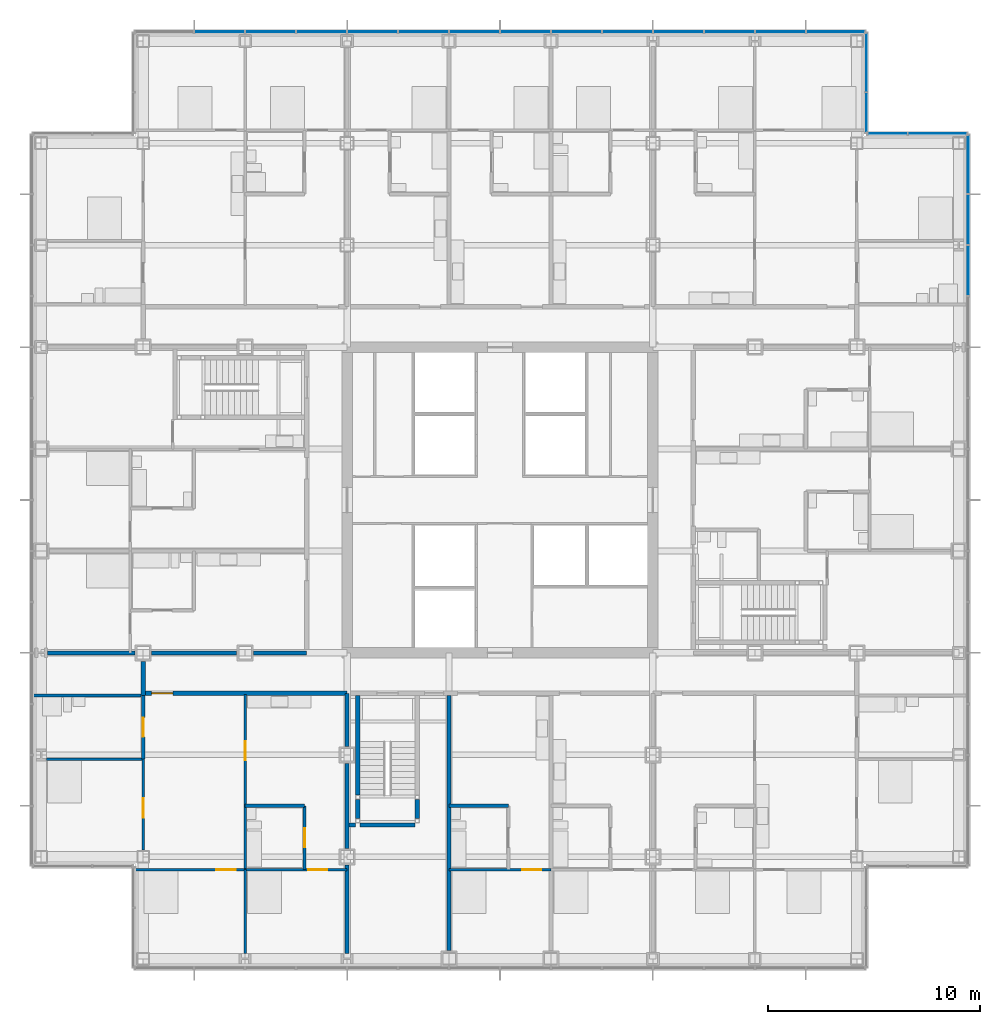
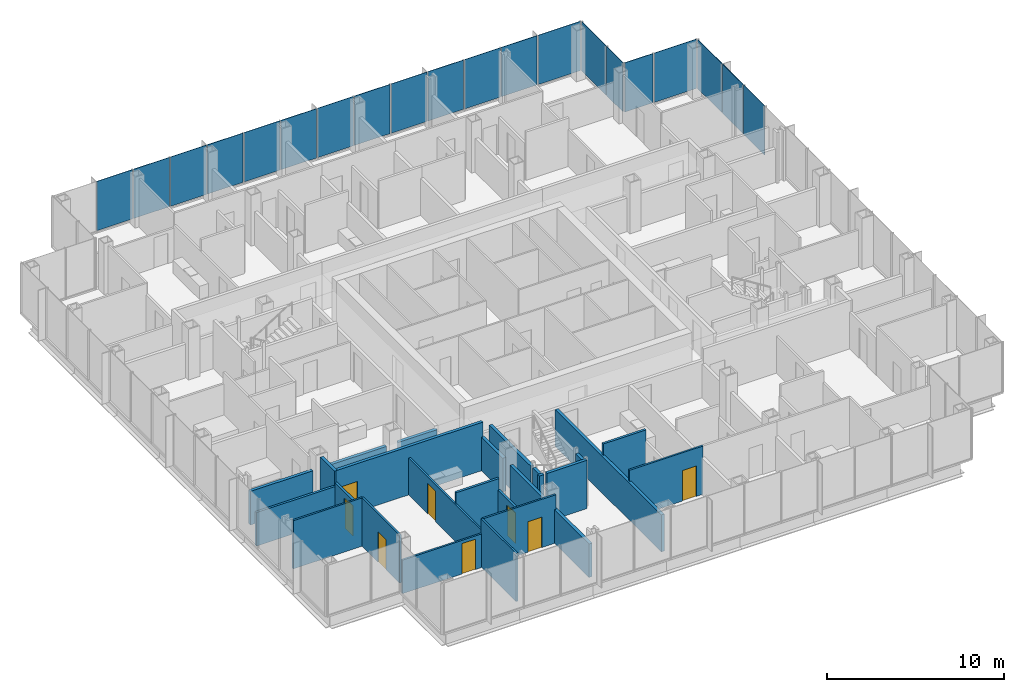
# One storey, part 13 of 21: 26 walls, 20 plates, 8 doors, 8 openings, 4 elements without a shape of their own.
"""IFC4 building model written with IfcOpenShell, lengths in metres."""

import ifcopenshell
import ifcopenshell.guid

model = None  # the IFC model being written
_history = None  # IfcOwnerHistory: only IFC2X3 demands one
_inside = {}  # id of a spatial element -> (the spatial element, [elements in it])
_under = {}  # id of a project, library or spatial element -> (it, [spatial elements below it])
_declared = {}  # id of a project -> (the project, [libraries it declares])
_typed = {}  # id of a type object -> (the type object, [elements of that type])
_made_of = {}  # id of a material, layer set ... -> (it, [elements and type objects made of it])


def new_model(schema):
    """Start an empty IFC model of exactly this schema.

    Asked for "IFC4X3", IfcOpenShell would pick the latest addendum, in which some entities
    have other attributes; the version numbers below select the first issue.
    IFC2X3 requires an IfcOwnerHistory on every rooted entity: one is made here for all.
    """
    global model, _history
    if schema == "IFC4X3":
        model = ifcopenshell.file(schema_version=(4, 3, 0, 0))
    else:
        model = ifcopenshell.file(schema=schema)
    _inside.clear()
    _under.clear()
    _declared.clear()
    _typed.clear()
    _made_of.clear()
    _history = None
    if model.schema == "IFC2X3":
        org = make("IfcOrganization", Name="unknown")
        user = make(
            "IfcPersonAndOrganization",
            ThePerson=make("IfcPerson", FamilyName="unknown"),
            TheOrganization=org,
        )
        app = make(
            "IfcApplication",
            ApplicationDeveloper=org,
            Version="unknown",
            ApplicationFullName="unknown",
            ApplicationIdentifier="unknown",
        )
        _history = make(
            "IfcOwnerHistory",
            OwningUser=user,
            OwningApplication=app,
            ChangeAction="ADDED",
            CreationDate=0,
        )
    return model


def make(cls, **values):
    """One entity of the class cls with the attributes given. An attribute that is None is left unset."""
    return model.create_entity(
        cls, **{name: value for name, value in values.items() if value is not None}
    )


def rooted(cls, **values):
    """An entity with a GlobalId (a new one), such as an element, a storey or a relation."""
    return make(cls, GlobalId=ifcopenshell.guid.new(), OwnerHistory=_history, **values)


def si_unit(unit_type, name, prefix=None):
    """IfcSIUnit, for example si_unit("LENGTHUNIT", "METRE", prefix="MILLI")."""
    return make("IfcSIUnit", UnitType=unit_type, Prefix=prefix, Name=name)


def assignment(units):
    """IfcUnitAssignment: the units of a project."""
    return None if units is None else make("IfcUnitAssignment", Units=units)


def point(xyz):
    """IfcCartesianPoint."""
    return None if xyz is None else make("IfcCartesianPoint", Coordinates=xyz)


def direction(xyz):
    """IfcDirection."""
    return None if xyz is None else make("IfcDirection", DirectionRatios=xyz)


def frame(location, z_axis=None, x_axis=None):
    """IfcAxis2Placement3D, a coordinate frame: its origin and axes. An axis left out is left unset."""
    return make(
        "IfcAxis2Placement3D",
        Location=point(location),
        Axis=direction(z_axis),
        RefDirection=direction(x_axis),
    )


def frame_2d(location, x_axis=None):
    """IfcAxis2Placement2D, a coordinate frame in the plane: its origin and x axis."""
    return make(
        "IfcAxis2Placement2D", Location=point(location), RefDirection=direction(x_axis)
    )


def origin():
    """The frame at (0, 0, 0) with its axes left unset."""
    return frame((0.0, 0.0, 0.0))


def origin_2d():
    """The frame at (0, 0) in the plane with its x axis left unset."""
    return frame_2d((0.0, 0.0))


def place(relative_to, where):
    """IfcLocalPlacement: puts the frame where relative to a parent placement (None: the world)."""
    return make(
        "IfcLocalPlacement", PlacementRelTo=relative_to, RelativePlacement=where
    )


def context(
    kind, dimensions, precision=None, world=None, true_north=None, identifier=None
):
    """IfcGeometricRepresentationContext, for example the 3D "Model" context."""
    return make(
        "IfcGeometricRepresentationContext",
        ContextIdentifier=identifier,
        ContextType=kind,
        CoordinateSpaceDimension=dimensions,
        Precision=precision,
        WorldCoordinateSystem=world,
        TrueNorth=true_north,
    )


def subcontext(parent, identifier, kind, view, scale=None):
    """IfcGeometricRepresentationSubContext, for example "Body" below "Model"."""
    return make(
        "IfcGeometricRepresentationSubContext",
        ContextIdentifier=identifier,
        ContextType=kind,
        ParentContext=parent,
        TargetScale=scale,
        TargetView=view,
    )


def project(units=None, contexts=None):
    """IfcProject with its units and contexts."""
    return rooted(
        "IfcProject",
        Name="project",
        RepresentationContexts=contexts,
        UnitsInContext=assignment(units),
    )


def spatial(cls, under=None, at=None, **own):
    """A site, building, storey or space (cls), placed at a placement, below another one or the project."""
    s = rooted(cls, ObjectPlacement=at, **own)
    if under is not None:
        _under.setdefault(under.id(), (under, []))[1].append(s)
    return s


def profile(cls, at=None, kind="AREA", **sizes):
    """A parametric profile (cls). Its sizes go by their IFC names, for example OverallWidth=200.0."""
    return make(cls, ProfileType=kind, Position=at, **sizes)


def rectangle(**sizes):
    """IfcRectangleProfileDef."""
    return profile("IfcRectangleProfileDef", **sizes)


def extrude(swept, where, along, depth):
    """IfcExtrudedAreaSolid: the profile swept, set in the frame where, extruded along a direction by depth."""
    return make(
        "IfcExtrudedAreaSolid",
        SweptArea=swept,
        Position=where,
        ExtrudedDirection=direction(along),
        Depth=depth,
    )


def shape(context_of_items, identifier, shape_type, items):
    """IfcShapeRepresentation: the items that make up one representation, for example the "Body"."""
    return make(
        "IfcShapeRepresentation",
        ContextOfItems=context_of_items,
        RepresentationIdentifier=identifier,
        RepresentationType=shape_type,
        Items=items,
    )


def material(Name=None, Category=None):
    """IfcMaterial."""
    return make("IfcMaterial", Name=Name, Category=Category)


def layer(
    of_material, thickness, ventilated=None, Name=None, Category=None, Priority=None
):
    """IfcMaterialLayer: one layer of a wall or slab, of a material (None: an air gap)."""
    return make(
        "IfcMaterialLayer",
        Material=of_material,
        LayerThickness=thickness,
        IsVentilated=ventilated,
        Name=Name,
        Category=Category,
        Priority=Priority,
    )


def layer_set(layers, Name=None):
    """IfcMaterialLayerSet."""
    return make("IfcMaterialLayerSet", MaterialLayers=layers, LayerSetName=Name)


def made_of(thing, what):
    """Note that an element or type object is made of a material, layer set ...; save() writes the relation."""
    if what is not None:
        _made_of.setdefault(what.id(), (what, []))[1].append(thing)
    return thing


def type_object(cls, material=None, **own):
    """A type object (cls), such as IfcWallType, which elements share."""
    return made_of(rooted(cls, **own), material)


def element(
    cls,
    number,
    at=None,
    inside=None,
    cuts=None,
    type_object=None,
    material=None,
    context=None,
    identifier="Body",
    shape_type=None,
    held_by="IfcProductDefinitionShape",
    body=None,
    shapes=None,
    **own,
):
    """One element of the class cls, such as IfcWall. Its Tag is "e" and its number.

    at: its placement. inside: the storey or other place that contains it. cuts: it is an
    opening in that element (IfcRelVoidsElement). A single representation is given by context,
    identifier, shape_type and body (its items); several are given by shapes. held_by: the class
    of the entity that holds the representations. save() writes the other relations.
    """
    e = rooted(cls, Tag="e%d" % number, ObjectPlacement=at, **own)
    if body is not None:
        shapes = [shape(context, identifier, shape_type, body)]
    if shapes is not None:
        e.Representation = make(held_by, Representations=shapes)
    if inside is not None:
        _inside.setdefault(inside.id(), (inside, []))[1].append(e)
    if cuts is not None:
        rooted(
            "IfcRelVoidsElement", RelatingBuildingElement=cuts, RelatedOpeningElement=e
        )
    if type_object is not None:
        _typed.setdefault(type_object.id(), (type_object, []))[1].append(e)
    return made_of(e, material)


def fill(opening, filler):
    """IfcRelFillsElement: the door or window that sits in an opening."""
    return rooted(
        "IfcRelFillsElement",
        RelatingOpeningElement=opening,
        RelatedBuildingElement=filler,
    )


def aggregate(whole, parts):
    """IfcRelAggregates: a whole, such as a stair, and the parts it consists of."""
    return rooted("IfcRelAggregates", RelatingObject=whole, RelatedObjects=parts)


def save(model, path):
    """Write the relations noted so far, then the file.

    IfcRelAggregates (storeys below a building ...), IfcRelContainedInSpatialStructure (elements
    in a storey), IfcRelDefinesByType, IfcRelAssociatesMaterial and IfcRelDeclares: one each for
    every whole, place, type object, material and project.
    """
    for whole, parts in _under.values():
        aggregate(whole, parts)
    for where, things in _inside.values():
        rooted(
            "IfcRelContainedInSpatialStructure",
            RelatedElements=things,
            RelatingStructure=where,
        )
    for kind, things in _typed.values():
        rooted("IfcRelDefinesByType", RelatedObjects=things, RelatingType=kind)
    for what, things in _made_of.values():
        rooted("IfcRelAssociatesMaterial", RelatedObjects=things, RelatingMaterial=what)
    for by, libraries in _declared.values():
        rooted("IfcRelDeclares", RelatingContext=by, RelatedDefinitions=libraries)
    model.write(path)


model = new_model("IFC4")

# Units and contexts
model_context = context("Model", 3, precision=1e-05, world=origin(), true_north=direction((0.0, 1.0)))
body_context = subcontext(model_context, "Body", "Model", "MODEL_VIEW")
ifc_project = project(units=[si_unit("LENGTHUNIT", "METRE"), si_unit("AREAUNIT", "SQUARE_METRE"), si_unit("VOLUMEUNIT", "CUBIC_METRE"), si_unit("PLANEANGLEUNIT", "RADIAN"), si_unit("MASSUNIT", "GRAM", prefix="KILO")], contexts=[model_context])

# Site, building, storey
site_placement = place(None, origin())
site = spatial("IfcSite", under=ifc_project, at=site_placement, CompositionType="ELEMENT")
building_placement = place(site_placement, origin())
building = spatial("IfcBuilding", under=site, at=building_placement, Name="Kvirike Care Tower", CompositionType="ELEMENT")
storey_placement = place(building_placement, frame((0.0, 0.0, 48.0)))
storey = spatial("IfcBuildingStorey", under=building, at=storey_placement, Name="L12", CompositionType="ELEMENT", Elevation=48.0)

# Curtain wall, plates
ifc_material_1 = material(Name="Anodised aluminium stick system", Category="aluminium")
curtain_wall_type = type_object("IfcCurtainWallType", Name="CW-A STICK CURTAIN WALL", PredefinedType="NOTDEFINED", material=ifc_material_1)
curtain_wall_1_placement = place(storey_placement, origin())
curtain_wall_1 = element("IfcCurtainWall", 1, at=curtain_wall_1_placement, inside=storey, type_object=curtain_wall_type, Name="Curtain wall L12 face 7", PredefinedType="NOTDEFINED")
ifc_material_2 = material(Name="Tinted double glazed unit", Category="glass")
ifc_layer_1 = layer(ifc_material_2, 0.031982421875)
ifc_layer_set_1 = layer_set([ifc_layer_1], Name="TINTED VISION PANEL 32")
plate_type = type_object("IfcPlateType", Name="TINTED VISION PANEL 32", PredefinedType="CURTAIN_PANEL", material=ifc_layer_set_1)
plate_1_placement = place(storey_placement, frame((43.64990234375, 46.800048828125, 0.10009765625), z_axis=(0.0, 0.0, 1.0), x_axis=(0.0, 1.0, 0.0)))
plate_1 = element("IfcPlate", 2, at=plate_1_placement, type_object=plate_type, Name="CW-A panel L12 face 7.12", PredefinedType="CURTAIN_PANEL", context=body_context, shape_type="SweptSolid", body=[
    extrude(rectangle(XDim=2.3349609375, YDim=0.031982421875, at=origin_2d()), origin(), (0.0, 0.0, 1.0), 3.39990234375),
])
plate_2_placement = place(storey_placement, frame((43.64990234375, 49.199951171875, 0.10009765625), z_axis=(0.0, 0.0, 1.0), x_axis=(0.0, 1.0, 0.0)))
plate_2 = element("IfcPlate", 3, at=plate_2_placement, type_object=plate_type, Name="CW-A panel L12 face 7.13", PredefinedType="CURTAIN_PANEL", context=body_context, shape_type="SweptSolid", body=[
    extrude(rectangle(XDim=2.3349609375, YDim=0.031982421875, at=origin_2d()), origin(), (0.0, 0.0, 1.0), 3.39990234375),
])
plate_3_placement = place(storey_placement, frame((43.64990234375, 51.808837890625, 0.10009765625), z_axis=(0.0, 0.0, 1.0), x_axis=(0.0, 1.0, 0.0)))
plate_3 = element("IfcPlate", 4, at=plate_3_placement, type_object=plate_type, Name="CW-A panel L12 face 7.14", PredefinedType="CURTAIN_PANEL", context=body_context, shape_type="SweptSolid", body=[
    extrude(rectangle(XDim=2.75244140625, YDim=0.031982421875, at=origin_2d()), origin(), (0.0, 0.0, 1.0), 3.39990234375),
])
aggregate(curtain_wall_1, [plate_1, plate_2, plate_3])

curtain_wall_2_placement = place(storey_placement, origin())
curtain_wall_2 = element("IfcCurtainWall", 5, at=curtain_wall_2_placement, inside=storey, type_object=curtain_wall_type, Name="Curtain wall L12 face 8", PredefinedType="NOTDEFINED")
plate_4_placement = place(storey_placement, frame((42.208740234375, 53.25, 0.10009765625), z_axis=(0.0, 0.0, 1.0), x_axis=(-1.0, 0.0, 0.0)))
plate_4 = element("IfcPlate", 6, at=plate_4_placement, type_object=plate_type, Name="CW-A panel L12 face 8.1", PredefinedType="CURTAIN_PANEL", context=body_context, shape_type="SweptSolid", body=[
    extrude(rectangle(XDim=2.75244140625, YDim=0.031982421875, at=origin_2d()), origin(), (0.0, 0.0, 1.0), 3.39990234375),
])
plate_5_placement = place(storey_placement, frame((39.84130859375, 53.25, 0.10009765625), z_axis=(0.0, 0.0, 1.0), x_axis=(-1.0, 0.0, 0.0)))
plate_5 = element("IfcPlate", 7, at=plate_5_placement, type_object=plate_type, Name="CW-A panel L12 face 8.2", PredefinedType="CURTAIN_PANEL", context=body_context, shape_type="SweptSolid", body=[
    extrude(rectangle(XDim=1.8525390625, YDim=0.031982421875, at=origin_2d()), origin(), (0.0, 0.0, 1.0), 3.39990234375),
])
aggregate(curtain_wall_2, [plate_4, plate_5])

curtain_wall_3_placement = place(storey_placement, origin())
curtain_wall_3 = element("IfcCurtainWall", 8, at=curtain_wall_3_placement, inside=storey, type_object=curtain_wall_type, Name="Curtain wall L12 face 9", PredefinedType="NOTDEFINED")
plate_6_placement = place(storey_placement, frame((38.85009765625, 54.2412109375, 0.10009765625), z_axis=(0.0, 0.0, 1.0), x_axis=(0.0, 1.0, 0.0)))
plate_6 = element("IfcPlate", 9, at=plate_6_placement, type_object=plate_type, Name="CW-A panel L12 face 9.1", PredefinedType="CURTAIN_PANEL", context=body_context, shape_type="SweptSolid", body=[
    extrude(rectangle(XDim=1.8525390625, YDim=0.031982421875, at=origin_2d()), origin(), (0.0, 0.0, 1.0), 3.39990234375),
])
plate_7_placement = place(storey_placement, frame((38.85009765625, 56.608642578125, 0.10009765625), z_axis=(0.0, 0.0, 1.0), x_axis=(0.0, 1.0, 0.0)))
plate_7 = element("IfcPlate", 10, at=plate_7_placement, type_object=plate_type, Name="CW-A panel L12 face 9.2", PredefinedType="CURTAIN_PANEL", context=body_context, shape_type="SweptSolid", body=[
    extrude(rectangle(XDim=2.75244140625, YDim=0.031982421875, at=origin_2d()), origin(), (0.0, 0.0, 1.0), 3.39990234375),
])
aggregate(curtain_wall_3, [plate_6, plate_7])

curtain_wall_4_placement = place(storey_placement, origin())
curtain_wall_4 = element("IfcCurtainWall", 11, at=curtain_wall_4_placement, inside=storey, type_object=curtain_wall_type, Name="Curtain wall L12 face 10", PredefinedType="NOTDEFINED")
plate_8_placement = place(storey_placement, frame((37.40869140625, 58.050048828125, 0.10009765625), z_axis=(0.0, 0.0, 1.0), x_axis=(-1.0, 0.0, 0.0)))
plate_8 = element("IfcPlate", 12, at=plate_8_placement, type_object=plate_type, Name="CW-A panel L12 face 10.1", PredefinedType="CURTAIN_PANEL", context=body_context, shape_type="SweptSolid", body=[
    extrude(rectangle(XDim=2.75244140625, YDim=0.031982421875, at=origin_2d()), origin(), (0.0, 0.0, 1.0), 3.39990234375),
])
plate_9_placement = place(storey_placement, frame((34.800048828125, 58.050048828125, 0.10009765625), z_axis=(0.0, 0.0, 1.0), x_axis=(-1.0, 0.0, 0.0)))
plate_9 = element("IfcPlate", 13, at=plate_9_placement, type_object=plate_type, Name="CW-A panel L12 face 10.2", PredefinedType="CURTAIN_PANEL", context=body_context, shape_type="SweptSolid", body=[
    extrude(rectangle(XDim=2.3349609375, YDim=0.031982421875, at=origin_2d()), origin(), (0.0, 0.0, 1.0), 3.39990234375),
])
plate_10_placement = place(storey_placement, frame((32.39990234375, 58.050048828125, 0.10009765625), z_axis=(0.0, 0.0, 1.0), x_axis=(-1.0, 0.0, 0.0)))
plate_10 = element("IfcPlate", 14, at=plate_10_placement, type_object=plate_type, Name="CW-A panel L12 face 10.3", PredefinedType="CURTAIN_PANEL", context=body_context, shape_type="SweptSolid", body=[
    extrude(rectangle(XDim=2.3349609375, YDim=0.031982421875, at=origin_2d()), origin(), (0.0, 0.0, 1.0), 3.39990234375),
])
plate_11_placement = place(storey_placement, frame((30.0, 58.050048828125, 0.10009765625), z_axis=(0.0, 0.0, 1.0), x_axis=(-1.0, 0.0, 0.0)))
plate_11 = element("IfcPlate", 15, at=plate_11_placement, type_object=plate_type, Name="CW-A panel L12 face 10.4", PredefinedType="CURTAIN_PANEL", context=body_context, shape_type="SweptSolid", body=[
    extrude(rectangle(XDim=2.3349609375, YDim=0.031982421875, at=origin_2d()), origin(), (0.0, 0.0, 1.0), 3.39990234375),
])
plate_12_placement = place(storey_placement, frame((27.60009765625, 58.050048828125, 0.10009765625), z_axis=(0.0, 0.0, 1.0), x_axis=(-1.0, 0.0, 0.0)))
plate_12 = element("IfcPlate", 16, at=plate_12_placement, type_object=plate_type, Name="CW-A panel L12 face 10.5", PredefinedType="CURTAIN_PANEL", context=body_context, shape_type="SweptSolid", body=[
    extrude(rectangle(XDim=2.3349609375, YDim=0.031982421875, at=origin_2d()), origin(), (0.0, 0.0, 1.0), 3.39990234375),
])
plate_13_placement = place(storey_placement, frame((25.199951171875, 58.050048828125, 0.10009765625), z_axis=(0.0, 0.0, 1.0), x_axis=(-1.0, 0.0, 0.0)))
plate_13 = element("IfcPlate", 17, at=plate_13_placement, type_object=plate_type, Name="CW-A panel L12 face 10.6", PredefinedType="CURTAIN_PANEL", context=body_context, shape_type="SweptSolid", body=[
    extrude(rectangle(XDim=2.3349609375, YDim=0.031982421875, at=origin_2d()), origin(), (0.0, 0.0, 1.0), 3.39990234375),
])
plate_14_placement = place(storey_placement, frame((22.800048828125, 58.050048828125, 0.10009765625), z_axis=(0.0, 0.0, 1.0), x_axis=(-1.0, 0.0, 0.0)))
plate_14 = element("IfcPlate", 18, at=plate_14_placement, type_object=plate_type, Name="CW-A panel L12 face 10.7", PredefinedType="CURTAIN_PANEL", context=body_context, shape_type="SweptSolid", body=[
    extrude(rectangle(XDim=2.3349609375, YDim=0.031982421875, at=origin_2d()), origin(), (0.0, 0.0, 1.0), 3.39990234375),
])
plate_15_placement = place(storey_placement, frame((20.39990234375, 58.050048828125, 0.10009765625), z_axis=(0.0, 0.0, 1.0), x_axis=(-1.0, 0.0, 0.0)))
plate_15 = element("IfcPlate", 19, at=plate_15_placement, type_object=plate_type, Name="CW-A panel L12 face 10.8", PredefinedType="CURTAIN_PANEL", context=body_context, shape_type="SweptSolid", body=[
    extrude(rectangle(XDim=2.3349609375, YDim=0.031982421875, at=origin_2d()), origin(), (0.0, 0.0, 1.0), 3.39990234375),
])
plate_16_placement = place(storey_placement, frame((18.0, 58.050048828125, 0.10009765625), z_axis=(0.0, 0.0, 1.0), x_axis=(-1.0, 0.0, 0.0)))
plate_16 = element("IfcPlate", 20, at=plate_16_placement, type_object=plate_type, Name="CW-A panel L12 face 10.9", PredefinedType="CURTAIN_PANEL", context=body_context, shape_type="SweptSolid", body=[
    extrude(rectangle(XDim=2.3349609375, YDim=0.031982421875, at=origin_2d()), origin(), (0.0, 0.0, 1.0), 3.39990234375),
])
plate_17_placement = place(storey_placement, frame((15.60009765625, 58.050048828125, 0.10009765625), z_axis=(0.0, 0.0, 1.0), x_axis=(-1.0, 0.0, 0.0)))
plate_17 = element("IfcPlate", 21, at=plate_17_placement, type_object=plate_type, Name="CW-A panel L12 face 10.10", PredefinedType="CURTAIN_PANEL", context=body_context, shape_type="SweptSolid", body=[
    extrude(rectangle(XDim=2.3349609375, YDim=0.031982421875, at=origin_2d()), origin(), (0.0, 0.0, 1.0), 3.39990234375),
])
plate_18_placement = place(storey_placement, frame((13.199951171875, 58.050048828125, 0.10009765625), z_axis=(0.0, 0.0, 1.0), x_axis=(-1.0, 0.0, 0.0)))
plate_18 = element("IfcPlate", 22, at=plate_18_placement, type_object=plate_type, Name="CW-A panel L12 face 10.11", PredefinedType="CURTAIN_PANEL", context=body_context, shape_type="SweptSolid", body=[
    extrude(rectangle(XDim=2.3349609375, YDim=0.031982421875, at=origin_2d()), origin(), (0.0, 0.0, 1.0), 3.39990234375),
])
plate_19_placement = place(storey_placement, frame((10.800048828125, 58.050048828125, 0.10009765625), z_axis=(0.0, 0.0, 1.0), x_axis=(-1.0, 0.0, 0.0)))
plate_19 = element("IfcPlate", 23, at=plate_19_placement, type_object=plate_type, Name="CW-A panel L12 face 10.12", PredefinedType="CURTAIN_PANEL", context=body_context, shape_type="SweptSolid", body=[
    extrude(rectangle(XDim=2.3349609375, YDim=0.031982421875, at=origin_2d()), origin(), (0.0, 0.0, 1.0), 3.39990234375),
])
plate_20_placement = place(storey_placement, frame((8.39990234375, 58.050048828125, 0.10009765625), z_axis=(0.0, 0.0, 1.0), x_axis=(-1.0, 0.0, 0.0)))
plate_20 = element("IfcPlate", 24, at=plate_20_placement, type_object=plate_type, Name="CW-A panel L12 face 10.13", PredefinedType="CURTAIN_PANEL", context=body_context, shape_type="SweptSolid", body=[
    extrude(rectangle(XDim=2.3349609375, YDim=0.031982421875, at=origin_2d()), origin(), (0.0, 0.0, 1.0), 3.39990234375),
])
aggregate(curtain_wall_4, [plate_8, plate_9, plate_10, plate_11, plate_12, plate_13, plate_14, plate_15, plate_16, plate_17, plate_18, plate_19, plate_20])

# Wall, opening, door
ifc_material_3 = material(Name="Moisture-resistant board partition", Category="gypsum")
ifc_layer_2 = layer(ifc_material_3, 0.14990234375)
ifc_layer_set_2 = layer_set([ifc_layer_2], Name="BATHROOM WALL 150")
wall_type_1 = type_object("IfcWallType", Name="BATHROOM WALL 150", PredefinedType="PARTITIONING", material=ifc_layer_set_2)
wall_1_placement = place(storey_placement, frame((4.800048828125, 23.800048828125, 0.0), z_axis=(0.0, 0.0, 1.0), x_axis=(0.0, 1.0, 0.0)))
wall_1 = element("IfcWall", 25, at=wall_1_placement, inside=storey, type_object=wall_type_1, Name="Bathroom Wall 150 L12", PredefinedType="PARTITIONING", context=body_context, shape_type="SweptSolid", body=[
    extrude(rectangle(XDim=3.0, YDim=0.14990234375, at=frame_2d((1.5, 0.0))), origin(), (0.0, 0.0, 1.0), 2.550048828125),
])
opening_1_placement = place(wall_1_placement, frame((1.050048828125, 0.0, 0.0)))
opening_1 = element("IfcOpeningElement", 26, at=opening_1_placement, cuts=wall_1, Name="Opening 12-001", PredefinedType="OPENING", context=body_context, shape_type="SweptSolid", body=[
    extrude(rectangle(XDim=0.89990234375, YDim=2.10009765625, at=frame_2d((0.449951171875, 1.050048828125))), frame((0.0, 0.08544921875, 0.0), z_axis=(0.0, -1.0, 0.0), x_axis=(1.0, 0.0, 0.0)), (0.0, 0.0, 1.0), 0.1708984375),
])
ifc_material_4 = material(Name="Timber door set", Category="wood")
door_type_1 = type_object("IfcDoorType", Name="BATHROOM DOOR 900", OperationType="SINGLE_SWING_RIGHT", PredefinedType="DOOR", material=ifc_material_4)
door_1_placement = place(opening_1_placement, origin())
door_1 = element("IfcDoor", 27, at=door_1_placement, inside=storey, type_object=door_type_1, Name="Shower room door", OperationType="SINGLE_SWING_RIGHT", OverallHeight=2.10009765625, OverallWidth=0.89990234375, PredefinedType="DOOR", context=body_context, shape_type="SweptSolid", body=[
    extrude(rectangle(XDim=0.89990234375, YDim=2.10009765625, at=frame_2d((0.449951171875, 1.050048828125))), frame((0.0, 0.02197265625, 0.0), z_axis=(0.0, -1.0, 0.0), x_axis=(1.0, 0.0, 0.0)), (0.0, 0.0, 1.0), 0.0439453125),
])
fill(opening_1, door_1)

wall_2_placement = place(storey_placement, frame((12.39990234375, 18.60009765625, 0.0), z_axis=(0.0, 0.0, 1.0), x_axis=(0.0, 1.0, 0.0)))
wall_2 = element("IfcWall", 28, at=wall_2_placement, inside=storey, type_object=wall_type_1, Name="Bathroom Wall 150 L12", PredefinedType="PARTITIONING", context=body_context, shape_type="SweptSolid", body=[
    extrude(rectangle(XDim=3.0, YDim=0.14990234375, at=frame_2d((1.5, 0.0))), origin(), (0.0, 0.0, 1.0), 2.550048828125),
])
opening_2_placement = place(wall_2_placement, frame((1.050048828125, 0.0, 0.0)))
opening_2 = element("IfcOpeningElement", 29, at=opening_2_placement, cuts=wall_2, Name="Opening 12-002", PredefinedType="OPENING", context=body_context, shape_type="SweptSolid", body=[
    extrude(rectangle(XDim=0.89990234375, YDim=2.10009765625, at=frame_2d((0.449951171875, 1.050048828125))), frame((0.0, 0.08544921875, 0.0), z_axis=(0.0, -1.0, 0.0), x_axis=(1.0, 0.0, 0.0)), (0.0, 0.0, 1.0), 0.1708984375),
])
door_2_placement = place(opening_2_placement, origin())
door_2 = element("IfcDoor", 30, at=door_2_placement, inside=storey, type_object=door_type_1, Name="Bathroom door", OperationType="SINGLE_SWING_LEFT", OverallHeight=2.10009765625, OverallWidth=0.89990234375, PredefinedType="DOOR", context=body_context, shape_type="SweptSolid", body=[
    extrude(rectangle(XDim=0.89990234375, YDim=2.10009765625, at=frame_2d((0.449951171875, 1.050048828125))), frame((0.0, 0.02197265625, 0.0), z_axis=(0.0, -1.0, 0.0), x_axis=(1.0, 0.0, 0.0)), (0.0, 0.0, 1.0), 0.0439453125),
])
fill(opening_2, door_2)

# Walls
wall_3_placement = place(storey_placement, frame((9.60009765625, 21.60009765625, 0.0), z_axis=(0.0, 0.0, 1.0), x_axis=(1.0, 0.0, 0.0)))
element("IfcWall", 31, at=wall_3_placement, inside=storey, type_object=wall_type_1, Name="Bathroom Wall 150 L12", PredefinedType="PARTITIONING", context=body_context, shape_type="SweptSolid", body=[
    extrude(rectangle(XDim=2.7998046875, YDim=0.14990234375, at=frame_2d((1.39990234375, 0.0))), origin(), (0.0, 0.0, 1.0), 3.330078125),
])
wall_4_placement = place(storey_placement, frame((19.199951171875, 21.60009765625, 0.0), z_axis=(0.0, 0.0, 1.0), x_axis=(1.0, 0.0, 0.0)))
element("IfcWall", 32, at=wall_4_placement, inside=storey, type_object=wall_type_1, Name="Bathroom Wall 150 L12", PredefinedType="PARTITIONING", context=body_context, shape_type="SweptSolid", body=[
    extrude(rectangle(XDim=2.800048828125, YDim=0.14990234375, at=frame_2d((1.39990234375, 0.0))), origin(), (0.0, 0.0, 1.0), 3.330078125),
])
wall_5_placement = place(storey_placement, frame((-0.429931640625, 26.800048828125, 0.0), z_axis=(0.0, 0.0, 1.0), x_axis=(1.0, 0.0, 0.0)))
element("IfcWall", 33, at=wall_5_placement, inside=storey, type_object=wall_type_1, Name="Bathroom Wall 150 L12", PredefinedType="PARTITIONING", context=body_context, shape_type="SweptSolid", body=[
    extrude(rectangle(XDim=5.1298828125, YDim=0.14990234375, at=frame_2d((2.56494140625, 0.0))), origin(), (0.0, 0.0, 1.0), 2.320068359375),
])

# Wall, opening, door
ifc_material_5 = material(Name="Plasterboard corridor wall", Category="gypsum")
ifc_layer_3 = layer(ifc_material_5, 0.199951171875)
ifc_layer_set_3 = layer_set([ifc_layer_3], Name="CORRIDOR WALL 200")
wall_type_2 = type_object("IfcWallType", Name="CORRIDOR WALL 200", PredefinedType="PARTITIONING", material=ifc_layer_set_3)
wall_6_placement = place(storey_placement, frame((4.800048828125, 26.89990234375, 0.0), z_axis=(0.0, 0.0, 1.0), x_axis=(1.0, 0.0, 0.0)))
wall_6 = element("IfcWall", 34, at=wall_6_placement, inside=storey, type_object=wall_type_2, Name="Corridor Wall 200 L12", PredefinedType="PARTITIONING", context=body_context, shape_type="SweptSolid", body=[
    extrude(rectangle(XDim=9.599853515625, YDim=0.199951171875, at=frame_2d((4.7998046875, 0.0))), origin(), (0.0, 0.0, 1.0), 3.330078125),
])
opening_3_placement = place(wall_6_placement, frame((0.39990234375, 0.0, 0.0)))
opening_3 = element("IfcOpeningElement", 35, at=opening_3_placement, cuts=wall_6, Name="Opening 12-007", PredefinedType="OPENING", context=body_context, shape_type="SweptSolid", body=[
    extrude(rectangle(XDim=1.0, YDim=2.10009765625, at=frame_2d((0.5, 1.050048828125))), frame((0.0, 0.110595703125, 0.0), z_axis=(0.0, -1.0, 0.0), x_axis=(1.0, 0.0, 0.0)), (0.0, 0.0, 1.0), 0.220947265625),
])
ifc_material_6 = material(Name="Timber door set", Category="wood")
door_type_2 = type_object("IfcDoorType", Name="FLAT ENTRANCE DOOR 1000", OperationType="SINGLE_SWING_LEFT", PredefinedType="DOOR", material=ifc_material_6)
door_3_placement = place(opening_3_placement, frame((1.0, 0.0, 0.0), z_axis=(0.0, 0.0, 1.0), x_axis=(-1.0, 0.0, 0.0)))
door_3 = element("IfcDoor", 36, at=door_3_placement, inside=storey, type_object=door_type_2, Name="Three-bedroom corner apartment entrance", OperationType="SINGLE_SWING_LEFT", OverallHeight=2.10009765625, OverallWidth=1.0, PredefinedType="DOOR", context=body_context, shape_type="SweptSolid", body=[
    extrude(rectangle(XDim=1.0, YDim=2.10009765625, at=frame_2d((0.5, 1.050048828125))), frame((0.0, 0.02685546875, 0.0), z_axis=(0.0, -1.0, 0.0), x_axis=(1.0, 0.0, 0.0)), (0.0, 0.0, 1.0), 0.053955078125),
])
fill(opening_3, door_3)

# Wall
wall_7_placement = place(storey_placement, frame((4.800048828125, 26.800048828125, 0.0), z_axis=(0.0, 0.0, 1.0), x_axis=(0.0, 1.0, 0.0)))
element("IfcWall", 37, at=wall_7_placement, inside=storey, type_object=wall_type_2, Name="Corridor Wall 200 L12", PredefinedType="PARTITIONING", context=body_context, shape_type="SweptSolid", body=[
    extrude(rectangle(XDim=1.60498046875, YDim=0.199951171875, at=frame_2d((0.802490234375, 0.0))), origin(), (0.0, 0.0, 1.0), 3.330078125),
])

# Wall, opening, door
ifc_material_7 = material(Name="Plasterboard partition", Category="gypsum")
ifc_layer_4 = layer(ifc_material_7, 0.1201171875)
ifc_layer_set_4 = layer_set([ifc_layer_4], Name="PARTITION 120")
wall_type_3 = type_object("IfcWallType", Name="PARTITION 120", PredefinedType="PARTITIONING", material=ifc_layer_set_4)
wall_8_placement = place(storey_placement, frame((9.60009765625, 18.60009765625, 0.0), z_axis=(0.0, 0.0, 1.0), x_axis=(0.0, 1.0, 0.0)))
wall_8 = element("IfcWall", 38, at=wall_8_placement, inside=storey, type_object=wall_type_3, Name="Partition 120 L12", PredefinedType="PARTITIONING", context=body_context, shape_type="SweptSolid", body=[
    extrude(rectangle(XDim=8.25, YDim=0.1201171875, at=frame_2d((4.125, 0.0))), origin(), (0.0, 0.0, 1.0), 2.550048828125),
])
opening_4_placement = place(wall_8_placement, frame((5.14990234375, 0.0, 0.0)))
opening_4 = element("IfcOpeningElement", 39, at=opening_4_placement, cuts=wall_8, Name="Opening 12-003", PredefinedType="OPENING", context=body_context, shape_type="SweptSolid", body=[
    extrude(rectangle(XDim=0.89990234375, YDim=2.10009765625, at=frame_2d((0.449951171875, 1.050048828125))), frame((0.0, 0.070556640625, 0.0), z_axis=(0.0, -1.0, 0.0), x_axis=(1.0, 0.0, 0.0)), (0.0, 0.0, 1.0), 0.14111328125),
])
ifc_material_8 = material(Name="Timber door set", Category="wood")
door_type_3 = type_object("IfcDoorType", Name="INTERNAL DOOR 900", OperationType="SINGLE_SWING_LEFT", PredefinedType="DOOR", material=ifc_material_8)
door_4_placement = place(opening_4_placement, frame((0.89990234375, 0.0, 0.0), z_axis=(0.0, 0.0, 1.0), x_axis=(-1.0, 0.0, 0.0)))
door_4 = element("IfcDoor", 40, at=door_4_placement, inside=storey, type_object=door_type_3, Name="Hall door", OperationType="SINGLE_SWING_RIGHT", OverallHeight=2.10009765625, OverallWidth=0.89990234375, PredefinedType="DOOR", context=body_context, shape_type="SweptSolid", body=[
    extrude(rectangle(XDim=0.89990234375, YDim=2.10009765625, at=frame_2d((0.449951171875, 1.050048828125))), frame((0.0, 0.02197265625, 0.0), z_axis=(0.0, -1.0, 0.0), x_axis=(1.0, 0.0, 0.0)), (0.0, 0.0, 1.0), 0.0439453125),
])
fill(opening_4, door_4)

# Wall
wall_9_placement = place(storey_placement, frame((0.2470703125, 23.800048828125, 0.0), z_axis=(0.0, 0.0, 1.0), x_axis=(1.0, 0.0, 0.0)))
element("IfcWall", 41, at=wall_9_placement, inside=storey, type_object=wall_type_3, Name="Partition 120 L12", PredefinedType="PARTITIONING", context=body_context, shape_type="SweptSolid", body=[
    extrude(rectangle(XDim=4.552978515625, YDim=0.1201171875, at=frame_2d((2.2763671875, 0.0))), origin(), (0.0, 0.0, 1.0), 3.330078125),
])

# Wall, opening, door
wall_10_placement = place(storey_placement, frame((4.364990234375, 18.60009765625, 0.0), z_axis=(0.0, 0.0, 1.0), x_axis=(1.0, 0.0, 0.0)))
wall_10 = element("IfcWall", 42, at=wall_10_placement, inside=storey, type_object=wall_type_3, Name="Partition 120 L12", PredefinedType="PARTITIONING", context=body_context, shape_type="SweptSolid", body=[
    extrude(rectangle(XDim=5.235107421875, YDim=0.1201171875, at=frame_2d((2.61767578125, 0.0))), origin(), (0.0, 0.0, 1.0), 2.320068359375),
])
opening_5_placement = place(wall_10_placement, frame((3.885009765625, 0.0, 0.0)))
opening_5 = element("IfcOpeningElement", 43, at=opening_5_placement, cuts=wall_10, Name="Opening 12-004", PredefinedType="OPENING", context=body_context, shape_type="SweptSolid", body=[
    extrude(rectangle(XDim=0.89990234375, YDim=2.10009765625, at=frame_2d((0.449951171875, 1.050048828125))), frame((0.0, 0.070556640625, 0.0), z_axis=(0.0, -1.0, 0.0), x_axis=(1.0, 0.0, 0.0)), (0.0, 0.0, 1.0), 0.14111328125),
])
door_5_placement = place(opening_5_placement, frame((0.89990234375, 0.0, 0.0), z_axis=(0.0, 0.0, 1.0), x_axis=(-1.0, 0.0, 0.0)))
door_5 = element("IfcDoor", 44, at=door_5_placement, inside=storey, type_object=door_type_3, Name="Apartment bedroom door", OperationType="SINGLE_SWING_RIGHT", OverallHeight=2.10009765625, OverallWidth=0.89990234375, PredefinedType="DOOR", context=body_context, shape_type="SweptSolid", body=[
    extrude(rectangle(XDim=0.89990234375, YDim=2.10009765625, at=frame_2d((0.449951171875, 1.050048828125))), frame((0.0, 0.02197265625, 0.0), z_axis=(0.0, -1.0, 0.0), x_axis=(1.0, 0.0, 0.0)), (0.0, 0.0, 1.0), 0.0439453125),
])
fill(opening_5, door_5)

wall_11_placement = place(storey_placement, frame((9.60009765625, 18.60009765625, 0.0), z_axis=(0.0, 0.0, 1.0), x_axis=(1.0, 0.0, 0.0)))
wall_11 = element("IfcWall", 45, at=wall_11_placement, inside=storey, type_object=wall_type_3, Name="Partition 120 L12", PredefinedType="PARTITIONING", context=body_context, shape_type="SweptSolid", body=[
    extrude(rectangle(XDim=4.7998046875, YDim=0.1201171875, at=frame_2d((2.39990234375, 0.0))), origin(), (0.0, 0.0, 1.0), 3.330078125),
])
opening_6_placement = place(wall_11_placement, frame((2.97509765625, 0.0, 0.0)))
opening_6 = element("IfcOpeningElement", 46, at=opening_6_placement, cuts=wall_11, Name="Opening 12-005", PredefinedType="OPENING", context=body_context, shape_type="SweptSolid", body=[
    extrude(rectangle(XDim=0.89990234375, YDim=2.10009765625, at=frame_2d((0.449951171875, 1.050048828125))), frame((0.0, 0.070556640625, 0.0), z_axis=(0.0, -1.0, 0.0), x_axis=(1.0, 0.0, 0.0)), (0.0, 0.0, 1.0), 0.14111328125),
])
door_6_placement = place(opening_6_placement, frame((0.89990234375, 0.0, 0.0), z_axis=(0.0, 0.0, 1.0), x_axis=(-1.0, 0.0, 0.0)))
door_6 = element("IfcDoor", 47, at=door_6_placement, inside=storey, type_object=door_type_3, Name="Apartment bedroom door", OperationType="SINGLE_SWING_RIGHT", OverallHeight=2.10009765625, OverallWidth=0.89990234375, PredefinedType="DOOR", context=body_context, shape_type="SweptSolid", body=[
    extrude(rectangle(XDim=0.89990234375, YDim=2.10009765625, at=frame_2d((0.449951171875, 1.050048828125))), frame((0.0, 0.02197265625, 0.0), z_axis=(0.0, -1.0, 0.0), x_axis=(1.0, 0.0, 0.0)), (0.0, 0.0, 1.0), 0.0439453125),
])
fill(opening_6, door_6)

wall_12_placement = place(storey_placement, frame((4.800048828125, 19.52001953125, 0.0), z_axis=(0.0, 0.0, 1.0), x_axis=(0.0, 1.0, 0.0)))
wall_12 = element("IfcWall", 48, at=wall_12_placement, inside=storey, type_object=wall_type_3, Name="Partition 120 L12", PredefinedType="PARTITIONING", context=body_context, shape_type="SweptSolid", body=[
    extrude(rectangle(XDim=4.280029296875, YDim=0.1201171875, at=frame_2d((2.14013671875, 0.0))), origin(), (0.0, 0.0, 1.0), 3.330078125),
])
opening_7_placement = place(wall_12_placement, frame((1.530029296875, 0.0, 0.0)))
opening_7 = element("IfcOpeningElement", 49, at=opening_7_placement, cuts=wall_12, Name="Opening 12-006", PredefinedType="OPENING", context=body_context, shape_type="SweptSolid", body=[
    extrude(rectangle(XDim=0.89990234375, YDim=2.10009765625, at=frame_2d((0.449951171875, 1.050048828125))), frame((0.0, 0.070556640625, 0.0), z_axis=(0.0, -1.0, 0.0), x_axis=(1.0, 0.0, 0.0)), (0.0, 0.0, 1.0), 0.14111328125),
])
door_7_placement = place(opening_7_placement, origin())
door_7 = element("IfcDoor", 50, at=door_7_placement, inside=storey, type_object=door_type_3, Name="Connecting door", OperationType="SINGLE_SWING_RIGHT", OverallHeight=2.10009765625, OverallWidth=0.89990234375, PredefinedType="DOOR", context=body_context, shape_type="SweptSolid", body=[
    extrude(rectangle(XDim=0.89990234375, YDim=2.10009765625, at=frame_2d((0.449951171875, 1.050048828125))), frame((0.0, 0.02197265625, 0.0), z_axis=(0.0, -1.0, 0.0), x_axis=(1.0, 0.0, 0.0)), (0.0, 0.0, 1.0), 0.0439453125),
])
fill(opening_7, door_7)

# Wall
wall_13_placement = place(storey_placement, frame((9.60009765625, 14.64697265625, 0.0), z_axis=(0.0, 0.0, 1.0), x_axis=(0.0, 1.0, 0.0)))
element("IfcWall", 51, at=wall_13_placement, inside=storey, type_object=wall_type_3, Name="Partition 120 L12", PredefinedType="PARTITIONING", context=body_context, shape_type="SweptSolid", body=[
    extrude(rectangle(XDim=3.953125, YDim=0.1201171875, at=frame_2d((1.9765625, 0.0))), origin(), (0.0, 0.0, 1.0), 3.330078125),
])

# Wall, opening, door
wall_14_placement = place(storey_placement, frame((19.199951171875, 18.60009765625, 0.0), z_axis=(0.0, 0.0, 1.0), x_axis=(1.0, 0.0, 0.0)))
wall_14 = element("IfcWall", 52, at=wall_14_placement, inside=storey, type_object=wall_type_3, Name="Partition 120 L12", PredefinedType="PARTITIONING", context=body_context, shape_type="SweptSolid", body=[
    extrude(rectangle(XDim=4.800048828125, YDim=0.1201171875, at=frame_2d((2.39990234375, 0.0))), origin(), (0.0, 0.0, 1.0), 3.330078125),
])
opening_8_placement = place(wall_14_placement, frame((3.449951171875, 0.0, 0.0)))
opening_8 = element("IfcOpeningElement", 53, at=opening_8_placement, cuts=wall_14, Name="Opening 12-025", PredefinedType="OPENING", context=body_context, shape_type="SweptSolid", body=[
    extrude(rectangle(XDim=0.89990234375, YDim=2.10009765625, at=frame_2d((0.449951171875, 1.050048828125))), frame((0.0, 0.070556640625, 0.0), z_axis=(0.0, -1.0, 0.0), x_axis=(1.0, 0.0, 0.0)), (0.0, 0.0, 1.0), 0.14111328125),
])
door_8_placement = place(opening_8_placement, frame((0.89990234375, 0.0, 0.0), z_axis=(0.0, 0.0, 1.0), x_axis=(-1.0, 0.0, 0.0)))
door_8 = element("IfcDoor", 54, at=door_8_placement, inside=storey, type_object=door_type_3, Name="Studio apartment living room door", OperationType="SINGLE_SWING_LEFT", OverallHeight=2.10009765625, OverallWidth=0.89990234375, PredefinedType="DOOR", context=body_context, shape_type="SweptSolid", body=[
    extrude(rectangle(XDim=0.89990234375, YDim=2.10009765625, at=frame_2d((0.449951171875, 1.050048828125))), frame((0.0, 0.02197265625, 0.0), z_axis=(0.0, -1.0, 0.0), x_axis=(1.0, 0.0, 0.0)), (0.0, 0.0, 1.0), 0.0439453125),
])
fill(opening_8, door_8)

# Walls
ifc_material_9 = material(Name="Plasterboard party wall", Category="gypsum")
ifc_layer_5 = layer(ifc_material_9, 0.199951171875)
ifc_layer_set_5 = layer_set([ifc_layer_5], Name="PARTY WALL 200")
wall_type_4 = type_object("IfcWallType", Name="PARTY WALL 200", PredefinedType="PARTITIONING", material=ifc_layer_set_5)
wall_15_placement = place(storey_placement, frame((19.199951171875, 14.794921875, 0.0), z_axis=(0.0, 0.0, 1.0), x_axis=(0.0, 1.0, 0.0)))
element("IfcWall", 55, at=wall_15_placement, inside=storey, type_object=wall_type_4, Name="Party Wall 200 L12", PredefinedType="PARTITIONING", context=body_context, shape_type="SweptSolid", body=[
    extrude(rectangle(XDim=12.005126953125, YDim=0.199951171875, at=frame_2d((6.00244140625, 0.0))), origin(), (0.0, 0.0, 1.0), 2.550048828125),
])
wall_16_placement = place(storey_placement, frame((12.5, 28.800048828125, 0.0), z_axis=(0.0, 0.0, 1.0), x_axis=(-1.0, 0.0, 0.0)))
element("IfcWall", 56, at=wall_16_placement, inside=storey, type_object=wall_type_4, Name="Party Wall 200 L12", PredefinedType="PARTITIONING", context=body_context, shape_type="SweptSolid", body=[
    extrude(rectangle(XDim=2.5048828125, YDim=0.199951171875, at=frame_2d((1.25244140625, 0.0))), origin(), (0.0, 0.0, 1.0), 2.320068359375),
])
wall_17_placement = place(storey_placement, frame((9.205078125, 28.800048828125, 0.0), z_axis=(0.0, 0.0, 1.0), x_axis=(-1.0, 0.0, 0.0)))
element("IfcWall", 57, at=wall_17_placement, inside=storey, type_object=wall_type_4, Name="Party Wall 200 L12", PredefinedType="PARTITIONING", context=body_context, shape_type="SweptSolid", body=[
    extrude(rectangle(XDim=4.010009765625, YDim=0.199951171875, at=frame_2d((2.0048828125, 0.0))), origin(), (0.0, 0.0, 1.0), 2.320068359375),
])
wall_18_placement = place(storey_placement, frame((4.405029296875, 28.800048828125, 0.0), z_axis=(0.0, 0.0, 1.0), x_axis=(-1.0, 0.0, 0.0)))
element("IfcWall", 58, at=wall_18_placement, inside=storey, type_object=wall_type_4, Name="Party Wall 200 L12", PredefinedType="PARTITIONING", context=body_context, shape_type="SweptSolid", body=[
    extrude(rectangle(XDim=4.1005859375, YDim=0.199951171875, at=frame_2d((2.05029296875, 0.0))), origin(), (0.0, 0.0, 1.0), 2.320068359375),
])
wall_19_placement = place(storey_placement, frame((14.39990234375, 14.64697265625, 0.0), z_axis=(0.0, 0.0, 1.0), x_axis=(0.0, 1.0, 0.0)))
element("IfcWall", 59, at=wall_19_placement, inside=storey, type_object=wall_type_4, Name="Party Wall 200 L12", PredefinedType="PARTITIONING", context=body_context, shape_type="SweptSolid", body=[
    extrude(rectangle(XDim=4.157958984375, YDim=0.199951171875, at=frame_2d((2.0791015625, 0.0))), origin(), (0.0, 0.0, 1.0), 2.320068359375),
])
wall_20_placement = place(storey_placement, frame((14.39990234375, 19.594970703125, 0.0), z_axis=(0.0, 0.0, 1.0), x_axis=(0.0, 1.0, 0.0)))
element("IfcWall", 60, at=wall_20_placement, inside=storey, type_object=wall_type_4, Name="Party Wall 200 L12", PredefinedType="PARTITIONING", context=body_context, shape_type="SweptSolid", body=[
    extrude(rectangle(XDim=4.010009765625, YDim=0.199951171875, at=frame_2d((2.0048828125, 0.0))), origin(), (0.0, 0.0, 1.0), 2.320068359375),
])
wall_21_placement = place(storey_placement, frame((14.39990234375, 24.39501953125, 0.0), z_axis=(0.0, 0.0, 1.0), x_axis=(0.0, 1.0, 0.0)))
element("IfcWall", 61, at=wall_21_placement, inside=storey, type_object=wall_type_4, Name="Party Wall 200 L12", PredefinedType="PARTITIONING", context=body_context, shape_type="SweptSolid", body=[
    extrude(rectangle(XDim=2.5048828125, YDim=0.199951171875, at=frame_2d((1.25244140625, 0.0))), origin(), (0.0, 0.0, 1.0), 2.320068359375),
])
ifc_material_10 = material(Name="Concrete C40/50", Category="concrete")
ifc_layer_6 = layer(ifc_material_10, 0.199951171875)
ifc_layer_set_6 = layer_set([ifc_layer_6], Name="STAIR WALL 200")
wall_type_5 = type_object("IfcWallType", Name="STAIR WALL 200", PredefinedType="SOLIDWALL", material=ifc_layer_set_6)
wall_22_placement = place(storey_placement, frame((14.89990234375, 21.0, 0.0), z_axis=(0.0, 0.0, 1.0), x_axis=(0.0, 1.0, 0.0)))
element("IfcWall", 62, at=wall_22_placement, inside=storey, type_object=wall_type_5, Name="Stair Wall 200 L12", PredefinedType="SOLIDWALL", context=body_context, shape_type="SweptSolid", body=[
    extrude(rectangle(XDim=0.89990234375, YDim=0.199951171875, at=frame_2d((0.449951171875, 0.0))), origin(), (0.0, 0.0, 1.0), 2.989990234375),
])
wall_23_placement = place(storey_placement, frame((14.89990234375, 22.10009765625, 0.0), z_axis=(0.0, 0.0, 1.0), x_axis=(0.0, 1.0, 0.0)))
element("IfcWall", 63, at=wall_23_placement, inside=storey, type_object=wall_type_5, Name="Stair Wall 200 L12", PredefinedType="SOLIDWALL", context=body_context, shape_type="SweptSolid", body=[
    extrude(rectangle(XDim=4.699951171875, YDim=0.199951171875, at=frame_2d((2.35009765625, 0.0))), origin(), (0.0, 0.0, 1.0), 2.989990234375),
])
wall_24_placement = place(storey_placement, frame((17.699951171875, 21.0, 0.0), z_axis=(0.0, 0.0, 1.0), x_axis=(0.0, 1.0, 0.0)))
element("IfcWall", 64, at=wall_24_placement, inside=storey, type_object=wall_type_5, Name="Stair Wall 200 L12", PredefinedType="SOLIDWALL", context=body_context, shape_type="SweptSolid", body=[
    extrude(rectangle(XDim=0.89990234375, YDim=0.199951171875, at=frame_2d((0.449951171875, 0.0))), origin(), (0.0, 0.0, 1.0), 2.989990234375),
])
wall_25_placement = place(storey_placement, frame((14.5, 20.699951171875, 0.0), z_axis=(0.0, 0.0, 1.0), x_axis=(1.0, 0.0, 0.0)))
element("IfcWall", 65, at=wall_25_placement, inside=storey, type_object=wall_type_5, Name="Stair Wall 200 L12", PredefinedType="SOLIDWALL", context=body_context, shape_type="SweptSolid", body=[
    extrude(rectangle(XDim=0.300048828125, YDim=0.199951171875, at=frame_2d((0.14990234375, 0.0))), origin(), (0.0, 0.0, 1.0), 3.330078125),
])
wall_26_placement = place(storey_placement, frame((15.0, 20.699951171875, 0.0), z_axis=(0.0, 0.0, 1.0), x_axis=(1.0, 0.0, 0.0)))
element("IfcWall", 66, at=wall_26_placement, inside=storey, type_object=wall_type_5, Name="Stair Wall 200 L12", PredefinedType="SOLIDWALL", context=body_context, shape_type="SweptSolid", body=[
    extrude(rectangle(XDim=2.60009765625, YDim=0.199951171875, at=frame_2d((1.300048828125, 0.0))), origin(), (0.0, 0.0, 1.0), 3.330078125),
])

save(model, "model.ifc")
